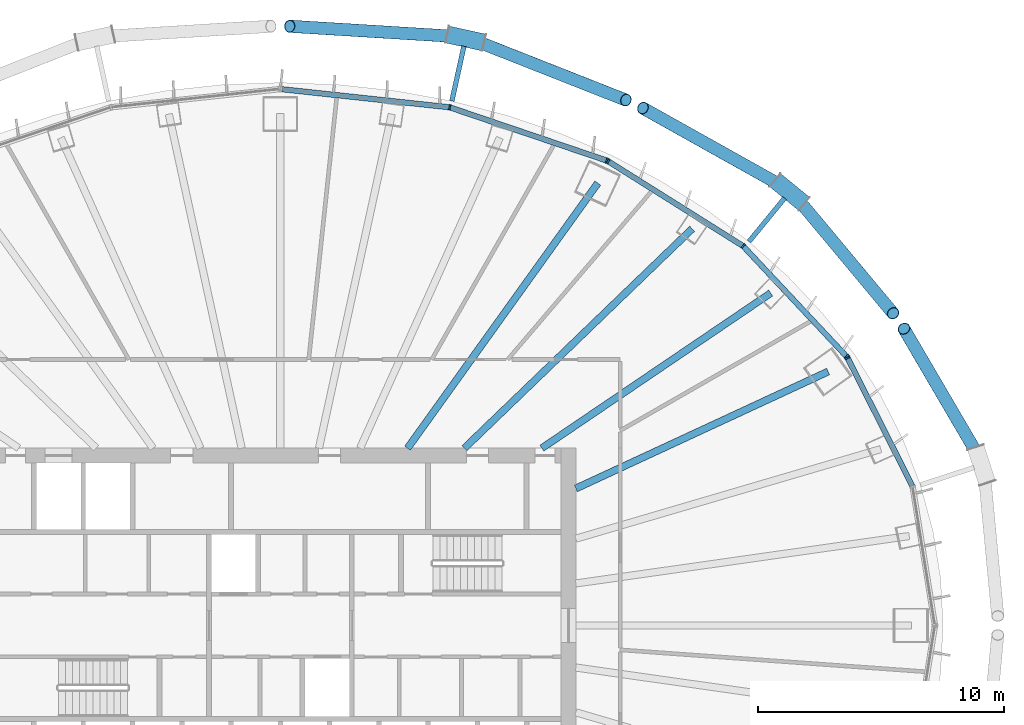
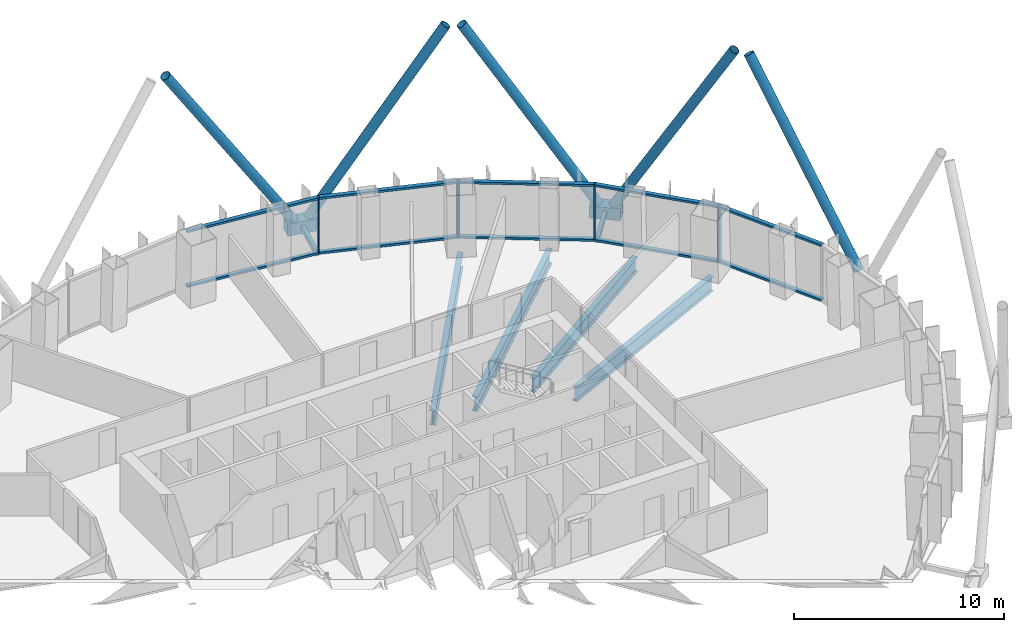
# One storey, part 6 of 18: 25 members, 4 beams, 3 elements without a shape of their own.
"""IFC4 building model written with IfcOpenShell, lengths in metres."""

from ifc_helpers import new_model, si_unit, direction, frame, origin, origin_2d, place, context, subcontext, project, spatial, rectangle, hollow_rectangle, hollow_circle, i_section, extrude, material, layer, layer_set, material_profile, profile_set, type_object, element, aggregate, save


model = new_model("IFC4")

# Units and contexts
model_context = context("Model", 3, precision=1e-05, world=origin(), true_north=direction((0.0, 1.0)))
body_context = subcontext(model_context, "Body", "Model", "MODEL_VIEW")
ifc_project = project(units=[si_unit("LENGTHUNIT", "METRE"), si_unit("AREAUNIT", "SQUARE_METRE"), si_unit("VOLUMEUNIT", "CUBIC_METRE"), si_unit("PLANEANGLEUNIT", "RADIAN"), si_unit("MASSUNIT", "GRAM", prefix="KILO")], contexts=[model_context])

# Site, building, storey
site_placement = place(None, origin())
site = spatial("IfcSite", under=ifc_project, at=site_placement, CompositionType="ELEMENT")
building_placement = place(site_placement, origin())
building = spatial("IfcBuilding", under=site, at=building_placement, Name="Siaravel Broadcast Tower", CompositionType="ELEMENT")
storey_placement = place(building_placement, frame((0.0, 0.0, 81.5)))
storey = spatial("IfcBuildingStorey", under=building, at=storey_placement, Name="L19", CompositionType="ELEMENT", Elevation=81.5)

# Beams
ifc_material_1 = material(Name="Steel S355", Category="steel")
ifc_material_profile_1 = material_profile(ifc_material_1, i_section(OverallWidth=0.291748046875, OverallDepth=0.8349609375, WebThickness=0.013916015625, FlangeThickness=0.018798828125, FilletRadius=0.017822265625, at=origin_2d()))
ifc_profile_set_1 = profile_set([ifc_material_profile_1], Name="Steel S355")
beam_type = type_object("IfcBeamType", Name="BM-UB 838x292x176", PredefinedType="BEAM", material=ifc_profile_set_1)
beam_1_placement = place(storey_placement, frame((22.242431640625, 10.310302734375, -0.5673828125), z_axis=(-0.907266333, -0.420556537, 0.0), x_axis=(0.420556537, -0.907266333, 0.0)))
element("IfcBeam", 1, at=beam_1_placement, inside=storey, type_object=beam_type, Name="Radial beam RB04", PredefinedType="BEAM", context=body_context, shape_type="SweptSolid", body=[
    extrude(i_section(OverallWidth=0.291748046875, OverallDepth=0.8349609375, WebThickness=0.013916015625, FlangeThickness=0.018798828125, FilletRadius=0.017822265625, at=origin_2d()), origin(), (0.0, 0.0, 1.0), 11.289306640625),
])
beam_2_placement = place(storey_placement, frame((19.910888671875, 13.496826171875, -0.5673828125), z_axis=(-0.827748229, -0.561099696, 0.0), x_axis=(0.561099696, -0.827748229, 0.0)))
element("IfcBeam", 2, at=beam_2_placement, inside=storey, type_object=beam_type, Name="Radial beam RB05", PredefinedType="BEAM", context=body_context, shape_type="SweptSolid", body=[
    extrude(i_section(OverallWidth=0.291748046875, OverallDepth=0.8349609375, WebThickness=0.013916015625, FlangeThickness=0.018798828125, FilletRadius=0.017822265625, at=origin_2d()), origin(), (0.0, 0.0, 1.0), 11.222412109375),
])
beam_3_placement = place(storey_placement, frame((16.72314453125, 16.10791015625, -0.5673828125), z_axis=(-0.72022556, -0.693739968, 0.0), x_axis=(0.693739968, -0.72022556, 0.0)))
element("IfcBeam", 3, at=beam_3_placement, inside=storey, type_object=beam_type, Name="Radial beam RB06", PredefinedType="BEAM", context=body_context, shape_type="SweptSolid", body=[
    extrude(i_section(OverallWidth=0.291748046875, OverallDepth=0.8349609375, WebThickness=0.013916015625, FlangeThickness=0.018798828125, FilletRadius=0.017822265625, at=origin_2d()), origin(), (0.0, 0.0, 1.0), 12.840576171875),
])
beam_4_placement = place(storey_placement, frame((12.890380859375, 17.961181640625, -0.5673828125), z_axis=(-0.583051778, -0.812434997, 0.0), x_axis=(0.812434997, -0.583051778, 0.0)))
element("IfcBeam", 4, at=beam_4_placement, inside=storey, type_object=beam_type, Name="Radial beam RB07", PredefinedType="BEAM", context=body_context, shape_type="SweptSolid", body=[
    extrude(i_section(OverallWidth=0.291748046875, OverallDepth=0.8349609375, WebThickness=0.013916015625, FlangeThickness=0.018798828125, FilletRadius=0.017822265625, at=origin_2d()), origin(), (0.0, 0.0, 1.0), 13.24560546875),
])

# Curtain wall, member
ifc_material_2 = material(Name="Aluminium 6063-T6", Category="aluminium")
ifc_layer = layer(ifc_material_2, 0.219970703125)
ifc_layer_set = layer_set([ifc_layer], Name="Aluminium 6063-T6")
curtain_wall_type = type_object("IfcCurtainWallType", Name="Unitised curtain wall, zone 1", PredefinedType="NOTDEFINED", material=ifc_layer_set)
curtain_wall_1_placement = place(storey_placement, origin())
curtain_wall_1 = element("IfcCurtainWall", 5, at=curtain_wall_1_placement, inside=storey, type_object=curtain_wall_type, Name="L19 Unitised curtain wall, zone 1 01", PredefinedType="NOTDEFINED")
ifc_material_profile_2 = material_profile(ifc_material_2, rectangle(XDim=0.219970703125, YDim=0.070068359375, at=origin_2d()))
ifc_profile_set_2 = profile_set([ifc_material_profile_2], Name="Aluminium 6063-T6")
member_type_1 = type_object("IfcMemberType", Name="CW-Z1 mullion", PredefinedType="MULLION", material=ifc_profile_set_2)
member_1_placement = place(storey_placement, frame((23.03173828125, 10.86279296875, 0.0), z_axis=(0.0, 0.0, 1.0), x_axis=(-0.892392264, -0.45126051, 0.0)))
member_1 = element("IfcMember", 6, at=member_1_placement, type_object=member_type_1, Name="CW-Z1 mullion 3", PredefinedType="MULLION", context=body_context, shape_type="SweptSolid", body=[
    extrude(rectangle(XDim=0.219970703125, YDim=0.070068359375, at=origin_2d()), origin(), (0.0, 0.0, 1.0), 3.300048828125),
])

# Curtain wall, members
curtain_wall_2_placement = place(storey_placement, origin())
curtain_wall_2 = element("IfcCurtainWall", 7, at=curtain_wall_2_placement, inside=storey, type_object=curtain_wall_type, Name="L19 Unitised curtain wall, zone 1 02", PredefinedType="NOTDEFINED")
member_2_placement = place(storey_placement, frame((22.9921875, 10.919677734375, 0.0), z_axis=(0.0, 0.0, 1.0), x_axis=(-0.729805713, -0.683654607, 0.0)))
member_2 = element("IfcMember", 8, at=member_2_placement, type_object=member_type_1, Name="CW-Z1 mullion 1", PredefinedType="MULLION", context=body_context, shape_type="SweptSolid", body=[
    extrude(rectangle(XDim=0.219970703125, YDim=0.070068359375, at=origin_2d()), origin(), (0.0, 0.0, 1.0), 3.300048828125),
])
member_3_placement = place(storey_placement, frame((18.790771484375, 15.404541015625, 0.0), z_axis=(0.0, 0.0, 1.0), x_axis=(-0.636219201, -0.771508346, 0.0)))
member_3 = element("IfcMember", 9, at=member_3_placement, type_object=member_type_1, Name="CW-Z1 mullion 2", PredefinedType="MULLION", context=body_context, shape_type="SweptSolid", body=[
    extrude(rectangle(XDim=0.219970703125, YDim=0.070068359375, at=origin_2d()), origin(), (0.0, 0.0, 1.0), 3.300048828125),
])
member_4_placement = place(storey_placement, frame((13.315673828125, 18.845703125, 0.0), z_axis=(0.0, 0.0, 1.0), x_axis=(-0.532149888, -0.846650162, 0.0)))
member_4 = element("IfcMember", 10, at=member_4_placement, type_object=member_type_1, Name="CW-Z1 mullion 3", PredefinedType="MULLION", context=body_context, shape_type="SweptSolid", body=[
    extrude(rectangle(XDim=0.219970703125, YDim=0.070068359375, at=origin_2d()), origin(), (0.0, 0.0, 1.0), 3.300048828125),
])

curtain_wall_3_placement = place(storey_placement, origin())
curtain_wall_3 = element("IfcCurtainWall", 11, at=curtain_wall_3_placement, inside=storey, type_object=curtain_wall_type, Name="L19 Unitised curtain wall, zone 1 03", PredefinedType="NOTDEFINED")
member_5_placement = place(storey_placement, frame((13.2529296875, 18.875732421875, 0.0), z_axis=(0.0, 0.0, 1.0), x_axis=(-0.321301192, -0.946977056, 0.0)))
member_5 = element("IfcMember", 12, at=member_5_placement, type_object=member_type_1, Name="CW-Z1 mullion 1", PredefinedType="MULLION", context=body_context, shape_type="SweptSolid", body=[
    extrude(rectangle(XDim=0.219970703125, YDim=0.070068359375, at=origin_2d()), origin(), (0.0, 0.0, 1.0), 3.300048828125),
])
member_6_placement = place(storey_placement, frame((6.876953125, 21.0390625, 0.0), z_axis=(0.0, 0.0, 1.0), x_axis=(-0.21555847, -0.976490935, 0.0)))
member_6 = element("IfcMember", 13, at=member_6_placement, type_object=member_type_1, Name="CW-Z1 mullion 2", PredefinedType="MULLION", context=body_context, shape_type="SweptSolid", body=[
    extrude(rectangle(XDim=0.219970703125, YDim=0.070068359375, at=origin_2d()), origin(), (0.0, 0.0, 1.0), 3.300048828125),
])

# Member
ifc_material_profile_3 = material_profile(ifc_material_2, rectangle(XDim=0.219970703125, YDim=0.1201171875, at=origin_2d()))
ifc_profile_set_3 = profile_set([ifc_material_profile_3], Name="Aluminium 6063-T6")
member_type_2 = type_object("IfcMemberType", Name="CW-Z1 transom", PredefinedType="USERDEFINED", material=ifc_profile_set_3)
member_7_placement = place(storey_placement, frame((25.6572265625, 5.671142578125, 0.06005859375), z_axis=(-0.451278877, 0.892382976, 0.0), x_axis=(-0.892382976, -0.451278877, 0.0)))
member_7 = element("IfcMember", 14, at=member_7_placement, type_object=member_type_2, Name="CW-Z1 transom 2", ObjectType="TRANSOM", PredefinedType="USERDEFINED", context=body_context, shape_type="SweptSolid", body=[
    extrude(rectangle(XDim=0.219970703125, YDim=0.1201171875, at=origin_2d()), origin(), (0.0, 0.0, 1.0), 5.78271484375),
])

member_8_placement = place(storey_placement, frame((25.6572265625, 5.671142578125, 3.239990234375), z_axis=(-0.451278877, 0.892382976, 0.0), x_axis=(-0.892382976, -0.451278877, 0.0)))
member_8 = element("IfcMember", 15, at=member_8_placement, type_object=member_type_2, Name="CW-Z1 transom 2", ObjectType="TRANSOM", PredefinedType="USERDEFINED", context=body_context, shape_type="SweptSolid", body=[
    extrude(rectangle(XDim=0.219970703125, YDim=0.1201171875, at=origin_2d()), origin(), (0.0, 0.0, 1.0), 5.78271484375),
])

aggregate(curtain_wall_1, [member_1, member_7, member_8])

member_9_placement = place(storey_placement, frame((22.968017578125, 10.9453125, 0.06005859375), z_axis=(-0.683663028, 0.729797824, 0.0), x_axis=(-0.729797824, -0.683663028, 0.0)))
member_9 = element("IfcMember", 16, at=member_9_placement, type_object=member_type_2, Name="CW-Z1 transom 1", ObjectType="TRANSOM", PredefinedType="USERDEFINED", context=body_context, shape_type="SweptSolid", body=[
    extrude(rectangle(XDim=0.219970703125, YDim=0.1201171875, at=origin_2d()), origin(), (0.0, 0.0, 1.0), 6.0751953125),
])

member_10_placement = place(storey_placement, frame((22.968017578125, 10.9453125, 3.239990234375), z_axis=(-0.683663028, 0.729797824, 0.0), x_axis=(-0.729797824, -0.683663028, 0.0)))
member_10 = element("IfcMember", 17, at=member_10_placement, type_object=member_type_2, Name="CW-Z1 transom 1", ObjectType="TRANSOM", PredefinedType="USERDEFINED", context=body_context, shape_type="SweptSolid", body=[
    extrude(rectangle(XDim=0.219970703125, YDim=0.1201171875, at=origin_2d()), origin(), (0.0, 0.0, 1.0), 6.0751953125),
])

member_11_placement = place(storey_placement, frame((18.76123046875, 15.423095703125, 0.06005859375), z_axis=(-0.846657675, 0.532137935, 0.0), x_axis=(-0.532137935, -0.846657675, 0.0)))
member_11 = element("IfcMember", 18, at=member_11_placement, type_object=member_type_2, Name="CW-Z1 transom 2", ObjectType="TRANSOM", PredefinedType="USERDEFINED", context=body_context, shape_type="SweptSolid", body=[
    extrude(rectangle(XDim=0.219970703125, YDim=0.1201171875, at=origin_2d()), origin(), (0.0, 0.0, 1.0), 6.39697265625),
])

member_12_placement = place(storey_placement, frame((18.76123046875, 15.423095703125, 3.239990234375), z_axis=(-0.846657675, 0.532137935, 0.0), x_axis=(-0.532137935, -0.846657675, 0.0)))
member_12 = element("IfcMember", 19, at=member_12_placement, type_object=member_type_2, Name="CW-Z1 transom 2", ObjectType="TRANSOM", PredefinedType="USERDEFINED", context=body_context, shape_type="SweptSolid", body=[
    extrude(rectangle(XDim=0.219970703125, YDim=0.1201171875, at=origin_2d()), origin(), (0.0, 0.0, 1.0), 6.39697265625),
])

aggregate(curtain_wall_2, [member_2, member_3, member_4, member_9, member_10, member_11, member_12])

member_13_placement = place(storey_placement, frame((13.2197265625, 18.886962890625, 0.06005859375), z_axis=(-0.946984275, 0.321279915, 0.0), x_axis=(-0.321279915, -0.946984275, 0.0)))
member_13 = element("IfcMember", 20, at=member_13_placement, type_object=member_type_2, Name="CW-Z1 transom 1", ObjectType="TRANSOM", PredefinedType="USERDEFINED", context=body_context, shape_type="SweptSolid", body=[
    extrude(rectangle(XDim=0.219970703125, YDim=0.1201171875, at=origin_2d()), origin(), (0.0, 0.0, 1.0), 6.662841796875),
])

member_14_placement = place(storey_placement, frame((13.2197265625, 18.886962890625, 3.239990234375), z_axis=(-0.946984275, 0.321279915, 0.0), x_axis=(-0.321279915, -0.946984275, 0.0)))
member_14 = element("IfcMember", 21, at=member_14_placement, type_object=member_type_2, Name="CW-Z1 transom 1", ObjectType="TRANSOM", PredefinedType="USERDEFINED", context=body_context, shape_type="SweptSolid", body=[
    extrude(rectangle(XDim=0.219970703125, YDim=0.1201171875, at=origin_2d()), origin(), (0.0, 0.0, 1.0), 6.662841796875),
])

member_15_placement = place(storey_placement, frame((6.84228515625, 21.042724609375, 0.06005859375), z_axis=(-0.994233929, 0.107232901, 0.0), x_axis=(-0.107232901, -0.994233929, 0.0)))
member_15 = element("IfcMember", 22, at=member_15_placement, type_object=member_type_2, Name="CW-Z1 transom 2", ObjectType="TRANSOM", PredefinedType="USERDEFINED", context=body_context, shape_type="SweptSolid", body=[
    extrude(rectangle(XDim=0.219970703125, YDim=0.1201171875, at=origin_2d()), origin(), (0.0, 0.0, 1.0), 6.81201171875),
])

member_16_placement = place(storey_placement, frame((6.84228515625, 21.042724609375, 3.239990234375), z_axis=(-0.994233929, 0.107232901, 0.0), x_axis=(-0.107232901, -0.994233929, 0.0)))
member_16 = element("IfcMember", 23, at=member_16_placement, type_object=member_type_2, Name="CW-Z1 transom 2", ObjectType="TRANSOM", PredefinedType="USERDEFINED", context=body_context, shape_type="SweptSolid", body=[
    extrude(rectangle(XDim=0.219970703125, YDim=0.1201171875, at=origin_2d()), origin(), (0.0, 0.0, 1.0), 6.81201171875),
])

aggregate(curtain_wall_3, [member_5, member_6, member_13, member_14, member_15, member_16])

# Members
ifc_material_3 = material(Name="Steel S460", Category="steel")
ifc_material_profile_4 = material_profile(ifc_material_3, hollow_circle(Radius=0.25390625, WallThickness=0.02001953125, at=origin_2d()))
ifc_profile_set_4 = profile_set([ifc_material_profile_4], Name="Steel S460")
member_type_3 = type_object("IfcMemberType", Name="Diagrid diagonal CHS 508x20", PredefinedType="BRACE", material=ifc_profile_set_4)
member_17_placement = place(storey_placement, frame((28.349609375, 6.874755859375, 0.1201171875), z_axis=(-0.251335725, 0.429420874, 0.867426116), x_axis=(-0.863043025, -0.505130416, 0.0)))
element("IfcMember", 24, at=member_17_placement, inside=storey, type_object=member_type_3, Name="Diagrid diagonal R08 station 03A", PredefinedType="BRACE", context=body_context, shape_type="SweptSolid", body=[
    extrude(hollow_circle(Radius=0.25390625, WallThickness=0.02001953125, at=origin_2d()), origin(), (0.0, 0.0, 1.0), 12.05859375),
])
member_18_placement = place(storey_placement, frame((20.9716796875, 17.359375, 0.1201171875), z_axis=(0.322860874, -0.386949211, 0.863730956), x_axis=(0.767827657, 0.640656451, 0.0)))
element("IfcMember", 25, at=member_18_placement, inside=storey, type_object=member_type_3, Name="Diagrid diagonal R08 station 09C", PredefinedType="BRACE", context=body_context, shape_type="SweptSolid", body=[
    extrude(hollow_circle(Radius=0.25390625, WallThickness=0.02001953125, at=origin_2d()), origin(), (0.0, 0.0, 1.0), 12.110107421875),
])
member_19_placement = place(storey_placement, frame((20.384765625, 17.840087890625, 0.1201171875), z_axis=(-0.460228971, 0.257304605, 0.849696201), x_axis=(-0.487991636, -0.872848305, 0.0)))
element("IfcMember", 26, at=member_19_placement, inside=storey, type_object=member_type_3, Name="Diagrid diagonal R08 station 09A", PredefinedType="BRACE", context=body_context, shape_type="SweptSolid", body=[
    extrude(hollow_circle(Radius=0.25390625, WallThickness=0.02001953125, at=origin_2d()), origin(), (0.0, 0.0, 1.0), 12.310302734375),
])
member_20_placement = place(storey_placement, frame((7.893798828125, 23.75244140625, 0.1201171875), z_axis=(0.496402038, -0.195722202, 0.845740999), x_axis=(0.366800108, 0.93029978, 0.0)))
element("IfcMember", 27, at=member_20_placement, inside=storey, type_object=member_type_3, Name="Diagrid diagonal R08 station 15C", PredefinedType="BRACE", context=body_context, shape_type="SweptSolid", body=[
    extrude(hollow_circle(Radius=0.25390625, WallThickness=0.02001953125, at=origin_2d()), origin(), (0.0, 0.0, 1.0), 12.367919921875),
])
member_21_placement = place(storey_placement, frame((7.152587890625, 23.9150390625, 0.1201171875), z_axis=(-0.543231205, 0.033326587, 0.838921448), x_axis=(-0.061233685, -0.998123457, 0.0)))
element("IfcMember", 28, at=member_21_placement, inside=storey, type_object=member_type_3, Name="Diagrid diagonal R08 station 15A", PredefinedType="BRACE", context=body_context, shape_type="SweptSolid", body=[
    extrude(hollow_circle(Radius=0.25390625, WallThickness=0.02001953125, at=origin_2d()), origin(), (0.0, 0.0, 1.0), 12.46826171875),
])
ifc_material_profile_5 = material_profile(ifc_material_3, hollow_rectangle(XDim=0.699951171875, YDim=0.699951171875, WallThickness=0.0400390625, at=origin_2d()))
ifc_profile_set_5 = profile_set([ifc_material_profile_5], Name="Steel S460")
member_type_4 = type_object("IfcMemberType", Name="Diagrid node BOX 700x700x40", PredefinedType="USERDEFINED", material=ifc_profile_set_5)
member_22_placement = place(storey_placement, frame((21.260986328125, 17.122314453125, -0.199951171875), z_axis=(-0.773560079, 0.633722972, 0.0), x_axis=(-0.633722972, -0.773560079, 0.0)))
element("IfcMember", 29, at=member_22_placement, inside=storey, type_object=member_type_4, Name="Diagrid node R08 station 09", ObjectType="DIAGRID NODE", PredefinedType="USERDEFINED", context=body_context, shape_type="SweptSolid", body=[
    extrude(hollow_rectangle(XDim=0.699951171875, YDim=0.699951171875, WallThickness=0.0400390625, at=origin_2d()), origin(), (0.0, 0.0, 1.0), 1.506591796875),
])
member_23_placement = place(storey_placement, frame((8.259033203125, 23.672119140625, -0.199951171875), z_axis=(-0.976759236, 0.214339438, 0.0), x_axis=(-0.214339438, -0.976759236, 0.0)))
element("IfcMember", 30, at=member_23_placement, inside=storey, type_object=member_type_4, Name="Diagrid node R08 station 15", ObjectType="DIAGRID NODE", PredefinedType="USERDEFINED", context=body_context, shape_type="SweptSolid", body=[
    extrude(hollow_rectangle(XDim=0.699951171875, YDim=0.699951171875, WallThickness=0.0400390625, at=origin_2d()), origin(), (0.0, 0.0, 1.0), 1.5068359375),
])
ifc_material_profile_6 = material_profile(ifc_material_3, hollow_rectangle(XDim=0.199951171875, YDim=0.300048828125, WallThickness=0.012451171875, at=origin_2d()))
ifc_profile_set_6 = profile_set([ifc_material_profile_6], Name="Steel S460")
member_type_5 = type_object("IfcMemberType", Name="Diagrid node arm RHS 300x200x12.5", PredefinedType="STRUT", material=ifc_profile_set_6)
member_24_placement = place(storey_placement, frame((19.03076171875, 15.58837890625, -0.199951171875), z_axis=(0.63366334, 0.773608927, 0.0), x_axis=(-0.773608927, 0.63366334, 0.0)))
element("IfcMember", 31, at=member_24_placement, inside=storey, type_object=member_type_5, Name="Node arm R08 station 09", PredefinedType="STRUT", context=body_context, shape_type="SweptSolid", body=[
    extrude(hollow_rectangle(XDim=0.199951171875, YDim=0.300048828125, WallThickness=0.012451171875, at=origin_2d()), origin(), (0.0, 0.0, 1.0), 2.280029296875),
])
member_25_placement = place(storey_placement, frame((6.9658203125, 21.294189453125, -0.199951171875), z_axis=(0.214389852, 0.976748172, 0.0), x_axis=(-0.976748172, 0.214389852, 0.0)))
element("IfcMember", 32, at=member_25_placement, inside=storey, type_object=member_type_5, Name="Node arm R08 station 15", PredefinedType="STRUT", context=body_context, shape_type="SweptSolid", body=[
    extrude(hollow_rectangle(XDim=0.199951171875, YDim=0.300048828125, WallThickness=0.012451171875, at=origin_2d()), origin(), (0.0, 0.0, 1.0), 2.27978515625),
])

save(model, "model.ifc")
